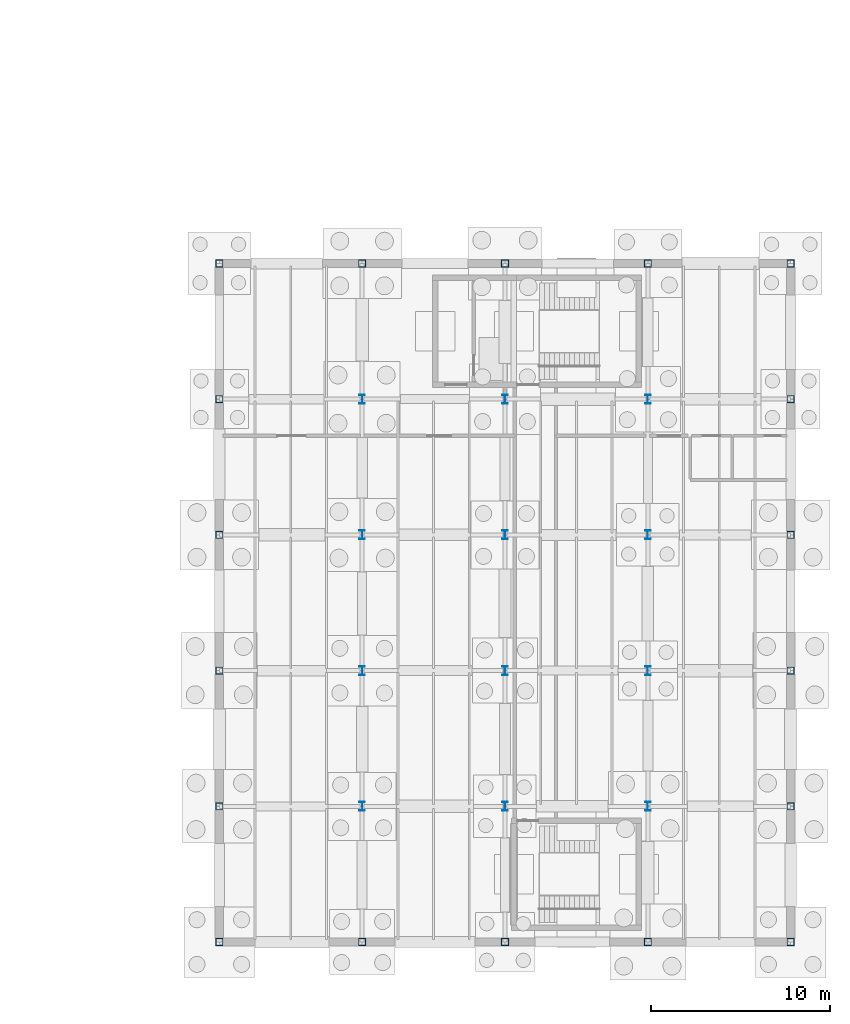
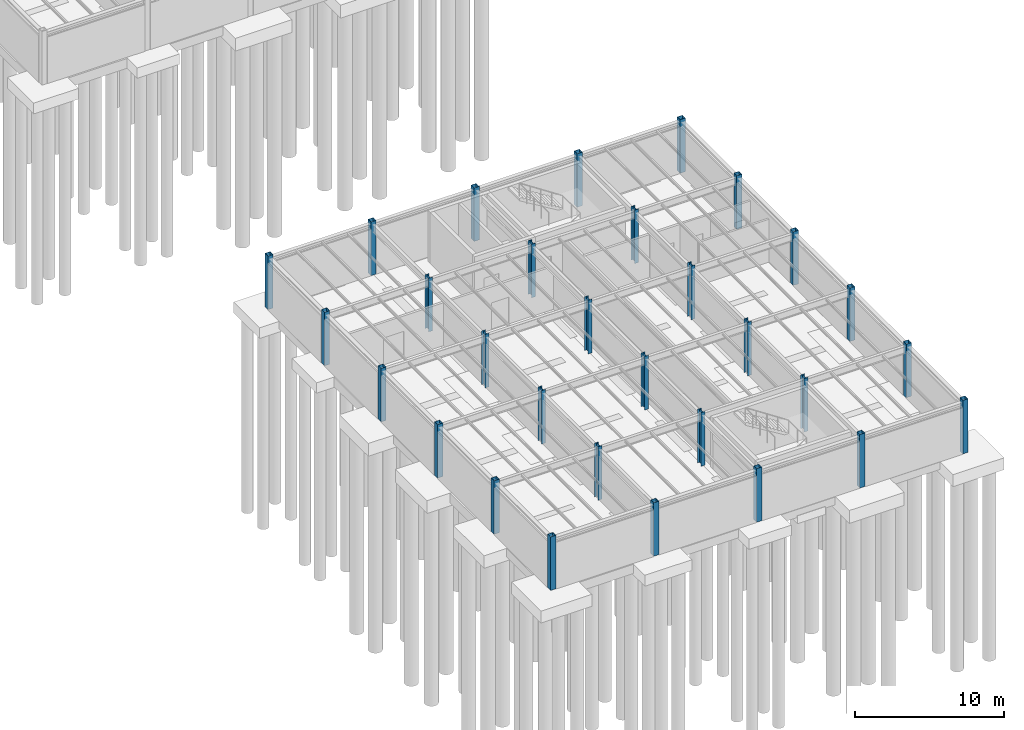
# One storey, part 17 of 33: 30 columns.
"""IFC4 building model written with IfcOpenShell, lengths in metres."""

from ifc_helpers import new_model, si_unit, direction, frame, origin, origin_2d, place, context, subcontext, project, spatial, hollow_rectangle, i_section, extrude, material, material_profile, profile_set, type_object, element, save


model = new_model("IFC4")

# Units and contexts
model_context = context("Model", 3, precision=1e-05, world=origin(), true_north=direction((0.0, 1.0)))
body_context = subcontext(model_context, "Body", "Model", "MODEL_VIEW")
ifc_project = project(units=[si_unit("LENGTHUNIT", "METRE"), si_unit("AREAUNIT", "SQUARE_METRE"), si_unit("VOLUMEUNIT", "CUBIC_METRE"), si_unit("PLANEANGLEUNIT", "RADIAN"), si_unit("MASSUNIT", "GRAM", prefix="KILO")], contexts=[model_context])

# Site, building, storey
site_placement = place(None, origin())
site = spatial("IfcSite", under=ifc_project, at=site_placement, CompositionType="ELEMENT")
building_placement = place(site_placement, origin())
building = spatial("IfcBuilding", under=site, at=building_placement, Name="Montecoro Central Library", CompositionType="ELEMENT")
storey_placement = place(building_placement, frame((0.0, 0.0, -4.419921875)))
storey = spatial("IfcBuildingStorey", under=building, at=storey_placement, Name="B1", CompositionType="ELEMENT", Elevation=-4.419921875)

# Columns
ifc_material = material(Name="Steel S355J2", Category="steel")
ifc_material_profile_1 = material_profile(ifc_material, i_section(OverallWidth=0.300048828125, OverallDepth=0.5, WebThickness=0.014404296875, FlangeThickness=0.028076171875, at=origin_2d()), Name="HEB 500")
ifc_profile_set_1 = profile_set([ifc_material_profile_1], Name="Steel S355J2")
column_type_1 = type_object("IfcColumnType", Name="COL-HEB500", PredefinedType="COLUMN", material=ifc_profile_set_1)
for number, where, z_axis, x_axis, name in (
    (1, (149.0, 12.60009765625, 0.0), (0.0, 0.0, 1.0), (1.0, 0.0, 0.0), "V6-B1-COL-19-B"),
    (2, (149.0, 20.199951171875, 0.0), (0.0, 0.0, 1.0), (1.0, 0.0, 0.0), "V6-B1-COL-19-C"),
    (3, (149.0, 27.800048828125, 0.0), (0.0, 0.0, 1.0), (1.0, 0.0, 0.0), "V6-B1-COL-19-D"),
    (4, (149.0, 35.39990234375, 0.0), (0.0, 0.0, 1.0), (1.0, 0.0, 0.0), "V6-B1-COL-19-E"),
    (5, (157.0, 12.60009765625, 0.0), (0.0, 0.0, 1.0), (1.0, 0.0, 0.0), "V6-B1-COL-20-B"),
    (6, (157.0, 20.199951171875, 0.0), (0.0, 0.0, 1.0), (1.0, 0.0, 0.0), "V6-B1-COL-20-C"),
    (7, (157.0, 27.800048828125, 0.0), (0.0, 0.0, 1.0), (1.0, 0.0, 0.0), "V6-B1-COL-20-D"),
    (8, (157.0, 35.39990234375, 0.0), (0.0, 0.0, 1.0), (1.0, 0.0, 0.0), "V6-B1-COL-20-E"),
    (9, (165.0, 12.60009765625, 0.0), (0.0, 0.0, 1.0), (1.0, 0.0, 0.0), "V6-B1-COL-21-B"),
    (10, (165.0, 20.199951171875, 0.0), (0.0, 0.0, 1.0), (1.0, 0.0, 0.0), "V6-B1-COL-21-C"),
    (11, (165.0, 27.800048828125, 0.0), (0.0, 0.0, 1.0), (1.0, 0.0, 0.0), "V6-B1-COL-21-D"),
    (12, (165.0, 35.39990234375, 0.0), (0.0, 0.0, 1.0), (1.0, 0.0, 0.0), "V6-B1-COL-21-E"),
):
    element("IfcColumn", number, at=place(storey_placement, frame(where, z_axis=z_axis, x_axis=x_axis)), inside=storey, type_object=column_type_1, Name=name, PredefinedType="COLUMN", context=body_context, shape_type="SweptSolid", body=[
        extrude(i_section(OverallWidth=0.300048828125, OverallDepth=0.5, WebThickness=0.014404296875, FlangeThickness=0.028076171875, at=origin_2d()), origin(), (0.0, 0.0, 1.0), 4.39501953125),
    ])
ifc_material_profile_2 = material_profile(ifc_material, hollow_rectangle(XDim=0.39990234375, YDim=0.39990234375, WallThickness=0.01611328125, at=origin_2d()), Name="SHS 400x400x16.0")
ifc_profile_set_2 = profile_set([ifc_material_profile_2], Name="Steel S355J2")
column_type_2 = type_object("IfcColumnType", Name="COL-SHS400", PredefinedType="COLUMN", material=ifc_profile_set_2)
for number, where, z_axis, x_axis, name in (
    (13, (141.0, 5.0, 0.0), (0.0, 0.0, 1.0), (1.0, 0.0, 0.0), "V6-B1-COL-18-A"),
    (14, (141.0, 12.60009765625, 0.0), (0.0, 0.0, 1.0), (1.0, 0.0, 0.0), "V6-B1-COL-18-B"),
    (15, (141.0, 20.199951171875, 0.0), (0.0, 0.0, 1.0), (1.0, 0.0, 0.0), "V6-B1-COL-18-C"),
    (16, (141.0, 27.800048828125, 0.0), (0.0, 0.0, 1.0), (1.0, 0.0, 0.0), "V6-B1-COL-18-D"),
    (17, (141.0, 35.39990234375, 0.0), (0.0, 0.0, 1.0), (1.0, 0.0, 0.0), "V6-B1-COL-18-E"),
    (18, (141.0, 43.0, 0.0), (0.0, 0.0, 1.0), (1.0, 0.0, 0.0), "V6-B1-COL-18-F"),
    (19, (149.0, 5.0, 0.0), (0.0, 0.0, 1.0), (1.0, 0.0, 0.0), "V6-B1-COL-19-A"),
    (20, (149.0, 43.0, 0.0), (0.0, 0.0, 1.0), (1.0, 0.0, 0.0), "V6-B1-COL-19-F"),
    (21, (157.0, 5.0, 0.0), (0.0, 0.0, 1.0), (1.0, 0.0, 0.0), "V6-B1-COL-20-A"),
    (22, (157.0, 43.0, 0.0), (0.0, 0.0, 1.0), (1.0, 0.0, 0.0), "V6-B1-COL-20-F"),
    (23, (165.0, 5.0, 0.0), (0.0, 0.0, 1.0), (1.0, 0.0, 0.0), "V6-B1-COL-21-A"),
    (24, (165.0, 43.0, 0.0), (0.0, 0.0, 1.0), (1.0, 0.0, 0.0), "V6-B1-COL-21-F"),
    (25, (173.0, 5.0, 0.0), (0.0, 0.0, 1.0), (1.0, 0.0, 0.0), "V6-B1-COL-22-A"),
    (26, (173.0, 12.60009765625, 0.0), (0.0, 0.0, 1.0), (1.0, 0.0, 0.0), "V6-B1-COL-22-B"),
    (27, (173.0, 20.199951171875, 0.0), (0.0, 0.0, 1.0), (1.0, 0.0, 0.0), "V6-B1-COL-22-C"),
    (28, (173.0, 27.800048828125, 0.0), (0.0, 0.0, 1.0), (1.0, 0.0, 0.0), "V6-B1-COL-22-D"),
    (29, (173.0, 35.39990234375, 0.0), (0.0, 0.0, 1.0), (1.0, 0.0, 0.0), "V6-B1-COL-22-E"),
    (30, (173.0, 43.0, 0.0), (0.0, 0.0, 1.0), (1.0, 0.0, 0.0), "V6-B1-COL-22-F"),
):
    element("IfcColumn", number, at=place(storey_placement, frame(where, z_axis=z_axis, x_axis=x_axis)), inside=storey, type_object=column_type_2, Name=name, PredefinedType="COLUMN", context=body_context, shape_type="SweptSolid", body=[
        extrude(hollow_rectangle(XDim=0.39990234375, YDim=0.39990234375, WallThickness=0.01611328125, at=origin_2d()), origin(), (0.0, 0.0, 1.0), 4.39501953125),
    ])

save(model, "model.ifc")
